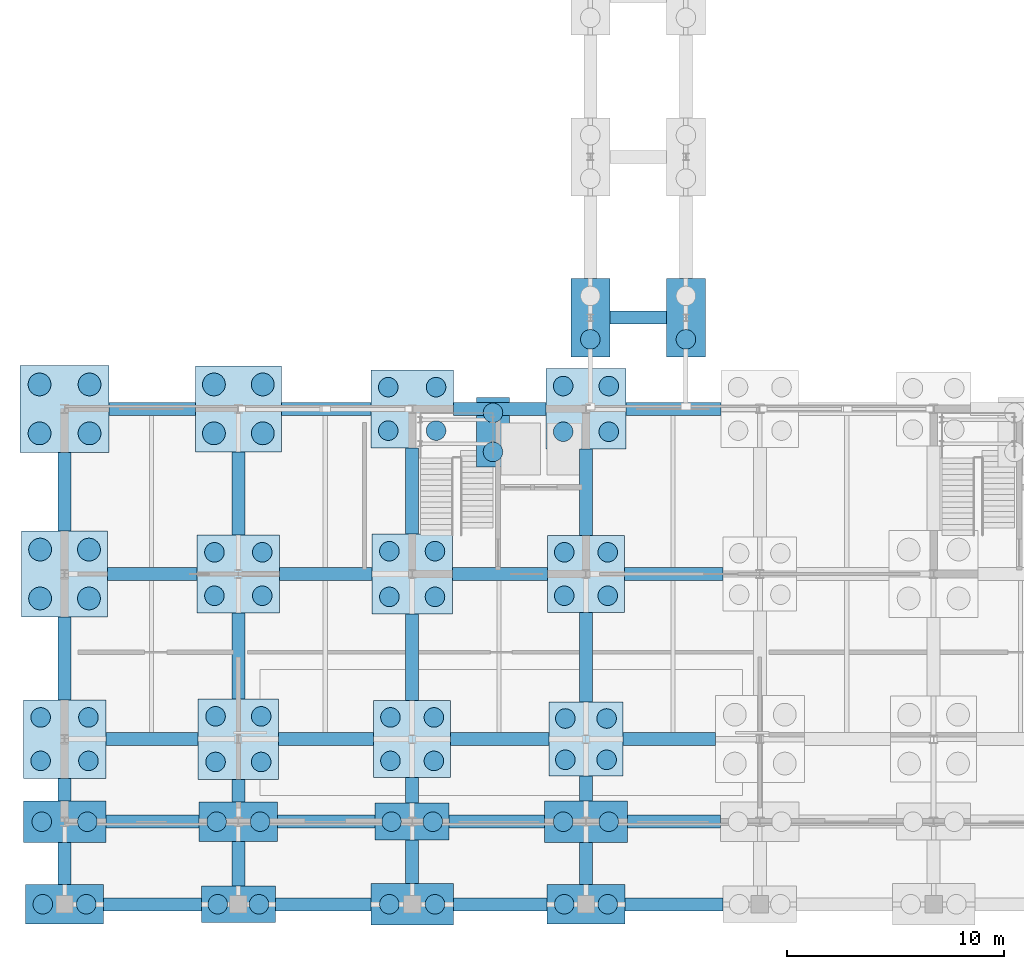
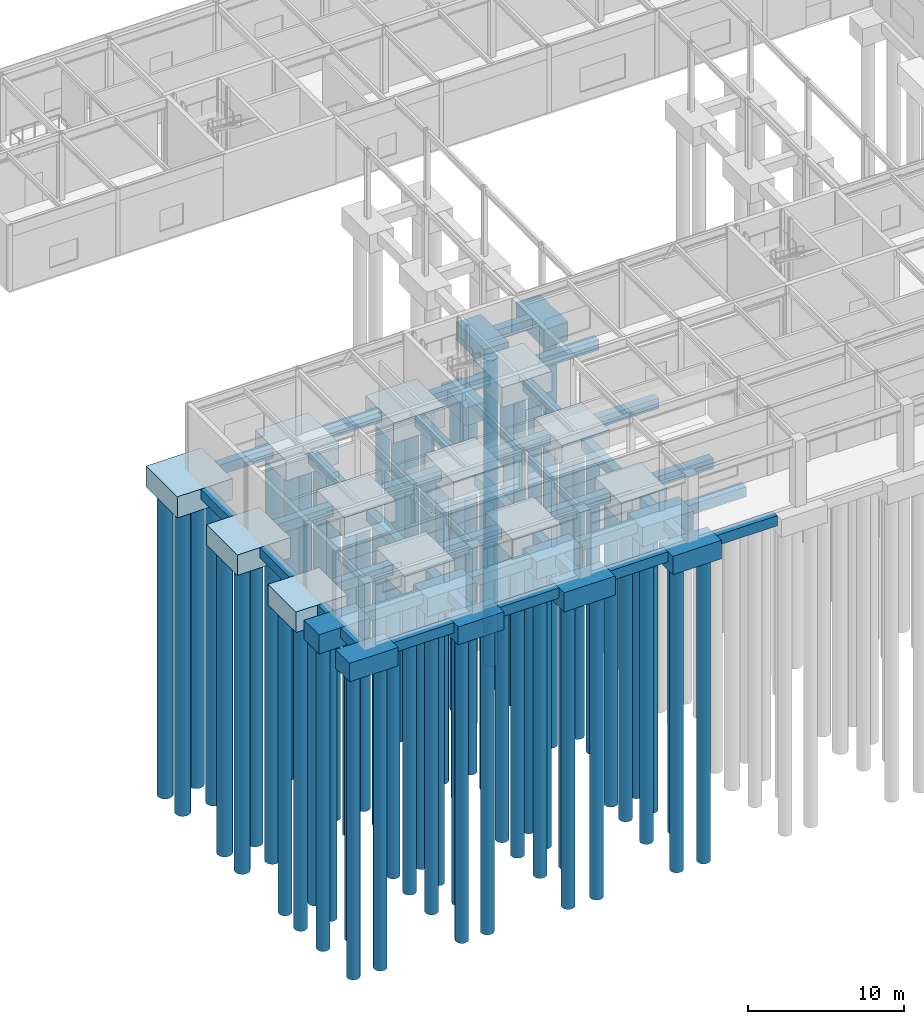
# One storey, part 1 of 62: 68 piles, 60 footings.
"""IFC4 building model written with IfcOpenShell, lengths in metres."""

from ifc_helpers import new_model, si_unit, direction, frame, origin, origin_2d, place, context, subcontext, project, spatial, rectangle, circle, extrude, material, material_profile, profile_set, type_object, element, save


model = new_model("IFC4")

# Units and contexts
model_context = context("Model", 3, precision=1e-05, world=origin(), true_north=direction((0.0, 1.0)))
body_context = subcontext(model_context, "Body", "Model", "MODEL_VIEW")
ifc_project = project(units=[si_unit("LENGTHUNIT", "METRE"), si_unit("AREAUNIT", "SQUARE_METRE"), si_unit("VOLUMEUNIT", "CUBIC_METRE"), si_unit("PLANEANGLEUNIT", "RADIAN"), si_unit("MASSUNIT", "GRAM", prefix="KILO")], contexts=[model_context])

# Site, building, storey
site_placement = place(None, origin())
site = spatial("IfcSite", under=ifc_project, at=site_placement, CompositionType="ELEMENT")
building_placement = place(site_placement, origin())
building = spatial("IfcBuilding", under=site, at=building_placement, Name="Zulena Civic Courthouse", CompositionType="ELEMENT")
storey_placement = place(building_placement, origin())
storey = spatial("IfcBuildingStorey", under=building, at=storey_placement, Name="L00", CompositionType="ELEMENT", Elevation=0.0)

# Piles
ifc_material_1 = material(Name="Concrete C40/50", Category="concrete")
ifc_material_profile_1 = material_profile(ifc_material_1, circle(Radius=0.52490234375, at=origin_2d()), Name="PILE1050")
ifc_profile_set_1 = profile_set([ifc_material_profile_1], Name="Concrete C40/50")
pile_type_1 = type_object("IfcPileType", Name="BoredPile_1050", PredefinedType="BORED", material=ifc_profile_set_1)
for number, where, z_axis, x_axis, name in (
    (1, (2.875, 14.074951171875, -1.72998046875), (0.0, 0.0, -1.0), (1.0, 0.0, 0.0), "pile:L00:004:1"),
    (2, (5.125, 14.074951171875, -1.72998046875), (0.0, 0.0, -1.0), (1.0, 0.0, 0.0), "pile:L00:004:2"),
    (3, (2.875, 16.324951171875, -1.72998046875), (0.0, 0.0, -1.0), (1.0, 0.0, 0.0), "pile:L00:004:3"),
    (4, (5.125, 16.324951171875, -1.72998046875), (0.0, 0.0, -1.0), (1.0, 0.0, 0.0), "pile:L00:004:4"),
    (5, (2.85009765625, 21.675048828125, -1.780029296875), (0.0, 0.0, -1.0), (1.0, 0.0, 0.0), "pile:L00:005:1"),
    (6, (5.14990234375, 21.675048828125, -1.780029296875), (0.0, 0.0, -1.0), (1.0, 0.0, 0.0), "pile:L00:005:2"),
    (7, (2.85009765625, 23.925048828125, -1.780029296875), (0.0, 0.0, -1.0), (1.0, 0.0, 0.0), "pile:L00:005:3"),
    (8, (5.14990234375, 23.925048828125, -1.780029296875), (0.0, 0.0, -1.0), (1.0, 0.0, 0.0), "pile:L00:005:4"),
    (9, (10.875, 21.675048828125, -1.72998046875), (0.0, 0.0, -1.0), (1.0, 0.0, 0.0), "pile:L00:010:1"),
    (10, (13.125, 21.675048828125, -1.72998046875), (0.0, 0.0, -1.0), (1.0, 0.0, 0.0), "pile:L00:010:2"),
    (11, (10.875, 23.925048828125, -1.72998046875), (0.0, 0.0, -1.0), (1.0, 0.0, 0.0), "pile:L00:010:3"),
    (12, (13.125, 23.925048828125, -1.72998046875), (0.0, 0.0, -1.0), (1.0, 0.0, 0.0), "pile:L00:010:4"),
):
    element("IfcPile", number, at=place(storey_placement, frame(where, z_axis=z_axis, x_axis=x_axis)), inside=storey, type_object=pile_type_1, Name=name, PredefinedType="BORED", context=body_context, shape_type="SweptSolid", body=[
        extrude(circle(Radius=0.52490234375, at=origin_2d()), origin(), (0.0, 0.0, 1.0), 24.0),
    ])
ifc_material_profile_2 = material_profile(ifc_material_1, circle(Radius=0.449951171875, at=origin_2d()), Name="PILE900")
ifc_profile_set_2 = profile_set([ifc_material_profile_2], Name="Concrete C40/50")
pile_type_2 = type_object("IfcPileType", Name="BoredPile_900", PredefinedType="BORED", material=ifc_profile_set_2)
for number, where, z_axis, x_axis, name in (
    (13, (3.0, 0.0, -1.580078125), (0.0, 0.0, -1.0), (1.0, 0.0, 0.0), "pile:L00:001:1"),
    (14, (5.0, 0.0, -1.580078125), (0.0, 0.0, -1.0), (1.0, 0.0, 0.0), "pile:L00:001:2"),
    (15, (2.949951171875, 3.800048828125, -1.6298828125), (0.0, 0.0, -1.0), (1.0, 0.0, 0.0), "pile:L00:002:1"),
    (16, (5.050048828125, 3.800048828125, -1.6298828125), (0.0, 0.0, -1.0), (1.0, 0.0, 0.0), "pile:L00:002:2"),
    (17, (2.89990234375, 6.60009765625, -1.72998046875), (0.0, 0.0, -1.0), (1.0, 0.0, 0.0), "pile:L00:003:1"),
    (18, (5.10009765625, 6.60009765625, -1.72998046875), (0.0, 0.0, -1.0), (1.0, 0.0, 0.0), "pile:L00:003:2"),
    (19, (2.89990234375, 8.60009765625, -1.72998046875), (0.0, 0.0, -1.0), (1.0, 0.0, 0.0), "pile:L00:003:3"),
    (20, (5.10009765625, 8.60009765625, -1.72998046875), (0.0, 0.0, -1.0), (1.0, 0.0, 0.0), "pile:L00:003:4"),
    (21, (11.050048828125, 0.0, -1.530029296875), (0.0, 0.0, -1.0), (1.0, 0.0, 0.0), "pile:L00:006:1"),
    (22, (12.949951171875, 0.0, -1.530029296875), (0.0, 0.0, -1.0), (1.0, 0.0, 0.0), "pile:L00:006:2"),
    (23, (11.0, 3.800048828125, -1.580078125), (0.0, 0.0, -1.0), (1.0, 0.0, 0.0), "pile:L00:007:1"),
    (24, (13.0, 3.800048828125, -1.580078125), (0.0, 0.0, -1.0), (1.0, 0.0, 0.0), "pile:L00:007:2"),
    (25, (10.949951171875, 6.550048828125, -1.679931640625), (0.0, 0.0, -1.0), (1.0, 0.0, 0.0), "pile:L00:008:1"),
    (26, (13.050048828125, 6.550048828125, -1.679931640625), (0.0, 0.0, -1.0), (1.0, 0.0, 0.0), "pile:L00:008:2"),
    (27, (10.949951171875, 8.64990234375, -1.679931640625), (0.0, 0.0, -1.0), (1.0, 0.0, 0.0), "pile:L00:008:3"),
    (28, (13.050048828125, 8.64990234375, -1.679931640625), (0.0, 0.0, -1.0), (1.0, 0.0, 0.0), "pile:L00:008:4"),
    (29, (10.89990234375, 14.199951171875, -1.72998046875), (0.0, 0.0, -1.0), (1.0, 0.0, 0.0), "pile:L00:009:1"),
    (30, (13.10009765625, 14.199951171875, -1.72998046875), (0.0, 0.0, -1.0), (1.0, 0.0, 0.0), "pile:L00:009:2"),
    (31, (10.89990234375, 16.199951171875, -1.72998046875), (0.0, 0.0, -1.0), (1.0, 0.0, 0.0), "pile:L00:009:3"),
    (32, (13.10009765625, 16.199951171875, -1.72998046875), (0.0, 0.0, -1.0), (1.0, 0.0, 0.0), "pile:L00:009:4"),
    (33, (18.949951171875, 0.0, -1.6298828125), (0.0, 0.0, -1.0), (1.0, 0.0, 0.0), "pile:L00:011:1"),
    (34, (21.050048828125, 0.0, -1.6298828125), (0.0, 0.0, -1.0), (1.0, 0.0, 0.0), "pile:L00:011:2"),
    (35, (19.050048828125, 3.800048828125, -1.530029296875), (0.0, 0.0, -1.0), (1.0, 0.0, 0.0), "pile:L00:012:1"),
    (36, (20.949951171875, 3.800048828125, -1.530029296875), (0.0, 0.0, -1.0), (1.0, 0.0, 0.0), "pile:L00:012:2"),
    (37, (19.0, 6.60009765625, -1.6298828125), (0.0, 0.0, -1.0), (1.0, 0.0, 0.0), "pile:L00:013:1"),
    (38, (21.0, 6.60009765625, -1.6298828125), (0.0, 0.0, -1.0), (1.0, 0.0, 0.0), "pile:L00:013:2"),
    (39, (19.0, 8.60009765625, -1.6298828125), (0.0, 0.0, -1.0), (1.0, 0.0, 0.0), "pile:L00:013:3"),
    (40, (21.0, 8.60009765625, -1.6298828125), (0.0, 0.0, -1.0), (1.0, 0.0, 0.0), "pile:L00:013:4"),
    (41, (18.949951171875, 14.14990234375, -1.679931640625), (0.0, 0.0, -1.0), (1.0, 0.0, 0.0), "pile:L00:014:1"),
    (42, (21.050048828125, 14.14990234375, -1.679931640625), (0.0, 0.0, -1.0), (1.0, 0.0, 0.0), "pile:L00:014:2"),
    (43, (18.949951171875, 16.25, -1.679931640625), (0.0, 0.0, -1.0), (1.0, 0.0, 0.0), "pile:L00:014:3"),
    (44, (21.050048828125, 16.25, -1.679931640625), (0.0, 0.0, -1.0), (1.0, 0.0, 0.0), "pile:L00:014:4"),
    (45, (18.89990234375, 21.800048828125, -1.72998046875), (0.0, 0.0, -1.0), (1.0, 0.0, 0.0), "pile:L00:015:1"),
    (46, (21.10009765625, 21.800048828125, -1.72998046875), (0.0, 0.0, -1.0), (1.0, 0.0, 0.0), "pile:L00:015:2"),
    (47, (18.89990234375, 23.800048828125, -1.72998046875), (0.0, 0.0, -1.0), (1.0, 0.0, 0.0), "pile:L00:015:3"),
    (48, (21.10009765625, 23.800048828125, -1.72998046875), (0.0, 0.0, -1.0), (1.0, 0.0, 0.0), "pile:L00:015:4"),
    (49, (27.0, 0.0, -1.580078125), (0.0, 0.0, -1.0), (1.0, 0.0, 0.0), "pile:L00:016:1"),
    (50, (29.0, 0.0, -1.580078125), (0.0, 0.0, -1.0), (1.0, 0.0, 0.0), "pile:L00:016:2"),
    (51, (26.949951171875, 3.800048828125, -1.6298828125), (0.0, 0.0, -1.0), (1.0, 0.0, 0.0), "pile:L00:017:1"),
    (52, (29.050048828125, 3.800048828125, -1.6298828125), (0.0, 0.0, -1.0), (1.0, 0.0, 0.0), "pile:L00:017:2"),
    (53, (27.050048828125, 6.64990234375, -1.6298828125), (0.0, 0.0, -1.0), (1.0, 0.0, 0.0), "pile:L00:018:1"),
    (54, (28.949951171875, 6.64990234375, -1.6298828125), (0.0, 0.0, -1.0), (1.0, 0.0, 0.0), "pile:L00:018:2"),
    (55, (27.050048828125, 8.550048828125, -1.6298828125), (0.0, 0.0, -1.0), (1.0, 0.0, 0.0), "pile:L00:018:3"),
    (56, (28.949951171875, 8.550048828125, -1.6298828125), (0.0, 0.0, -1.0), (1.0, 0.0, 0.0), "pile:L00:018:4"),
    (57, (27.0, 14.199951171875, -1.6298828125), (0.0, 0.0, -1.0), (1.0, 0.0, 0.0), "pile:L00:019:1"),
    (58, (29.0, 14.199951171875, -1.6298828125), (0.0, 0.0, -1.0), (1.0, 0.0, 0.0), "pile:L00:019:2"),
    (59, (27.0, 16.199951171875, -1.6298828125), (0.0, 0.0, -1.0), (1.0, 0.0, 0.0), "pile:L00:019:3"),
    (60, (29.0, 16.199951171875, -1.6298828125), (0.0, 0.0, -1.0), (1.0, 0.0, 0.0), "pile:L00:019:4"),
    (61, (26.949951171875, 21.75, -1.679931640625), (0.0, 0.0, -1.0), (1.0, 0.0, 0.0), "pile:L00:020:1"),
    (62, (29.050048828125, 21.75, -1.679931640625), (0.0, 0.0, -1.0), (1.0, 0.0, 0.0), "pile:L00:020:2"),
    (63, (26.949951171875, 23.85009765625, -1.679931640625), (0.0, 0.0, -1.0), (1.0, 0.0, 0.0), "pile:L00:020:3"),
    (64, (29.050048828125, 23.85009765625, -1.679931640625), (0.0, 0.0, -1.0), (1.0, 0.0, 0.0), "pile:L00:020:4"),
    (65, (28.199951171875, 26.0, -1.580078125), (0.0, 0.0, -1.0), (1.0, 0.0, 0.0), "pile:L00:021:1"),
    (66, (32.60009765625, 26.0, -1.580078125), (0.0, 0.0, -1.0), (1.0, 0.0, 0.0), "pile:L00:024:1"),
    (67, (23.719970703125, 20.820068359375, -1.530029296875), (0.0, 0.0, -1.0), (1.0, 0.0, 0.0), "pile:stair:L00:01:1"),
    (68, (23.719970703125, 22.6201171875, -1.530029296875), (0.0, 0.0, -1.0), (1.0, 0.0, 0.0), "pile:stair:L00:01:2"),
):
    element("IfcPile", number, at=place(storey_placement, frame(where, z_axis=z_axis, x_axis=x_axis)), inside=storey, type_object=pile_type_2, Name=name, PredefinedType="BORED", context=body_context, shape_type="SweptSolid", body=[
        extrude(circle(Radius=0.449951171875, at=origin_2d()), origin(), (0.0, 0.0, 1.0), 24.0),
    ])

# Footings
ifc_material_2 = material(Name="Concrete C35/45", Category="concrete")
ifc_material_profile_3 = material_profile(ifc_material_2, rectangle(XDim=0.60009765625, YDim=0.800048828125, at=origin_2d()), Name="RC600X800")
ifc_profile_set_3 = profile_set([ifc_material_profile_3], Name="Concrete C35/45")
footing_type_1 = type_object("IfcFootingType", Name="GroundBeam_600x800", PredefinedType="FOOTING_BEAM", material=ifc_profile_set_3)
footing_1_placement = place(storey_placement, frame((5.800048828125, 0.0, -0.6298828125), z_axis=(1.0, 0.0, 0.0), x_axis=(0.0, 1.0, 0.0)))
element("IfcFooting", 69, at=footing_1_placement, inside=storey, type_object=footing_type_1, Name="gbeam:X:L00:001", PredefinedType="FOOTING_BEAM", context=body_context, shape_type="SweptSolid", body=[
    extrude(rectangle(XDim=0.60009765625, YDim=0.800048828125, at=origin_2d()), origin(), (0.0, 0.0, 1.0), 4.5),
])
footing_2_placement = place(storey_placement, frame((13.699951171875, 0.0, -0.6298828125), z_axis=(1.0, 0.0, 0.0), x_axis=(0.0, 1.0, 0.0)))
element("IfcFooting", 70, at=footing_2_placement, inside=storey, type_object=footing_type_1, Name="gbeam:X:L00:002", PredefinedType="FOOTING_BEAM", context=body_context, shape_type="SweptSolid", body=[
    extrude(rectangle(XDim=0.60009765625, YDim=0.800048828125, at=origin_2d()), origin(), (0.0, 0.0, 1.0), 4.400146484375),
])
footing_3_placement = place(storey_placement, frame((21.89990234375, 0.0, -0.6298828125), z_axis=(1.0, 0.0, 0.0), x_axis=(0.0, 1.0, 0.0)))
element("IfcFooting", 71, at=footing_3_placement, inside=storey, type_object=footing_type_1, Name="gbeam:X:L00:003", PredefinedType="FOOTING_BEAM", context=body_context, shape_type="SweptSolid", body=[
    extrude(rectangle(XDim=0.60009765625, YDim=0.800048828125, at=origin_2d()), origin(), (0.0, 0.0, 1.0), 4.300048828125),
])
footing_4_placement = place(storey_placement, frame((29.800048828125, 0.0, -0.6298828125), z_axis=(1.0, 0.0, 0.0), x_axis=(0.0, 1.0, 0.0)))
element("IfcFooting", 72, at=footing_4_placement, inside=storey, type_object=footing_type_1, Name="gbeam:X:L00:004", PredefinedType="FOOTING_BEAM", context=body_context, shape_type="SweptSolid", body=[
    extrude(rectangle(XDim=0.60009765625, YDim=0.800048828125, at=origin_2d()), origin(), (0.0, 0.0, 1.0), 4.5),
])
footing_5_placement = place(storey_placement, frame((5.89990234375, 3.800048828125, -0.6298828125), z_axis=(1.0, 0.0, 0.0), x_axis=(0.0, 1.0, 0.0)))
element("IfcFooting", 73, at=footing_5_placement, inside=storey, type_object=footing_type_1, Name="gbeam:X:L00:013", PredefinedType="FOOTING_BEAM", context=body_context, shape_type="SweptSolid", body=[
    extrude(rectangle(XDim=0.60009765625, YDim=0.800048828125, at=origin_2d()), origin(), (0.0, 0.0, 1.0), 4.300048828125),
])
footing_6_placement = place(storey_placement, frame((13.800048828125, 3.800048828125, -0.6298828125), z_axis=(1.0, 0.0, 0.0), x_axis=(0.0, 1.0, 0.0)))
element("IfcFooting", 74, at=footing_6_placement, inside=storey, type_object=footing_type_1, Name="gbeam:X:L00:014", PredefinedType="FOOTING_BEAM", context=body_context, shape_type="SweptSolid", body=[
    extrude(rectangle(XDim=0.60009765625, YDim=0.800048828125, at=origin_2d()), origin(), (0.0, 0.0, 1.0), 4.5),
])
footing_7_placement = place(storey_placement, frame((21.699951171875, 3.800048828125, -0.6298828125), z_axis=(1.0, 0.0, 0.0), x_axis=(0.0, 1.0, 0.0)))
element("IfcFooting", 75, at=footing_7_placement, inside=storey, type_object=footing_type_1, Name="gbeam:X:L00:015", PredefinedType="FOOTING_BEAM", context=body_context, shape_type="SweptSolid", body=[
    extrude(rectangle(XDim=0.60009765625, YDim=0.800048828125, at=origin_2d()), origin(), (0.0, 0.0, 1.0), 4.400146484375),
])
footing_8_placement = place(storey_placement, frame((29.89990234375, 3.800048828125, -0.6298828125), z_axis=(1.0, 0.0, 0.0), x_axis=(0.0, 1.0, 0.0)))
element("IfcFooting", 76, at=footing_8_placement, inside=storey, type_object=footing_type_1, Name="gbeam:X:L00:016", PredefinedType="FOOTING_BEAM", context=body_context, shape_type="SweptSolid", body=[
    extrude(rectangle(XDim=0.60009765625, YDim=0.800048828125, at=origin_2d()), origin(), (0.0, 0.0, 1.0), 4.300048828125),
])
footing_9_placement = place(storey_placement, frame((5.89990234375, 7.60009765625, -0.6298828125), z_axis=(1.0, 0.0, 0.0), x_axis=(0.0, 1.0, 0.0)))
element("IfcFooting", 77, at=footing_9_placement, inside=storey, type_object=footing_type_1, Name="gbeam:X:L00:025", PredefinedType="FOOTING_BEAM", context=body_context, shape_type="SweptSolid", body=[
    extrude(rectangle(XDim=0.60009765625, YDim=0.800048828125, at=origin_2d()), origin(), (0.0, 0.0, 1.0), 4.25),
])
footing_10_placement = place(storey_placement, frame((13.85009765625, 7.60009765625, -0.6298828125), z_axis=(1.0, 0.0, 0.0), x_axis=(0.0, 1.0, 0.0)))
element("IfcFooting", 78, at=footing_10_placement, inside=storey, type_object=footing_type_1, Name="gbeam:X:L00:026", PredefinedType="FOOTING_BEAM", context=body_context, shape_type="SweptSolid", body=[
    extrude(rectangle(XDim=0.60009765625, YDim=0.800048828125, at=origin_2d()), origin(), (0.0, 0.0, 1.0), 4.375),
])
footing_11_placement = place(storey_placement, frame((21.77490234375, 7.60009765625, -0.6298828125), z_axis=(1.0, 0.0, 0.0), x_axis=(0.0, 1.0, 0.0)))
element("IfcFooting", 79, at=footing_11_placement, inside=storey, type_object=footing_type_1, Name="gbeam:X:L00:027", PredefinedType="FOOTING_BEAM", context=body_context, shape_type="SweptSolid", body=[
    extrude(rectangle(XDim=0.60009765625, YDim=0.800048828125, at=origin_2d()), origin(), (0.0, 0.0, 1.0), 4.525146484375),
])
footing_12_placement = place(storey_placement, frame((29.699951171875, 7.60009765625, -0.6298828125), z_axis=(1.0, 0.0, 0.0), x_axis=(0.0, 1.0, 0.0)))
element("IfcFooting", 80, at=footing_12_placement, inside=storey, type_object=footing_type_1, Name="gbeam:X:L00:028", PredefinedType="FOOTING_BEAM", context=body_context, shape_type="SweptSolid", body=[
    extrude(rectangle(XDim=0.60009765625, YDim=0.800048828125, at=origin_2d()), origin(), (0.0, 0.0, 1.0), 4.25),
])
footing_13_placement = place(storey_placement, frame((5.97509765625, 15.199951171875, -0.6298828125), z_axis=(1.0, 0.0, 0.0), x_axis=(0.0, 1.0, 0.0)))
element("IfcFooting", 81, at=footing_13_placement, inside=storey, type_object=footing_type_1, Name="gbeam:X:L00:043", PredefinedType="FOOTING_BEAM", context=body_context, shape_type="SweptSolid", body=[
    extrude(rectangle(XDim=0.60009765625, YDim=0.800048828125, at=origin_2d()), origin(), (0.0, 0.0, 1.0), 4.125),
])
footing_14_placement = place(storey_placement, frame((13.89990234375, 15.199951171875, -0.6298828125), z_axis=(1.0, 0.0, 0.0), x_axis=(0.0, 1.0, 0.0)))
element("IfcFooting", 82, at=footing_14_placement, inside=storey, type_object=footing_type_1, Name="gbeam:X:L00:044", PredefinedType="FOOTING_BEAM", context=body_context, shape_type="SweptSolid", body=[
    extrude(rectangle(XDim=0.60009765625, YDim=0.800048828125, at=origin_2d()), origin(), (0.0, 0.0, 1.0), 4.25),
])
footing_15_placement = place(storey_placement, frame((21.85009765625, 15.199951171875, -0.6298828125), z_axis=(1.0, 0.0, 0.0), x_axis=(0.0, 1.0, 0.0)))
element("IfcFooting", 83, at=footing_15_placement, inside=storey, type_object=footing_type_1, Name="gbeam:X:L00:045", PredefinedType="FOOTING_BEAM", context=body_context, shape_type="SweptSolid", body=[
    extrude(rectangle(XDim=0.60009765625, YDim=0.800048828125, at=origin_2d()), origin(), (0.0, 0.0, 1.0), 4.375),
])
footing_16_placement = place(storey_placement, frame((29.77490234375, 15.199951171875, -0.6298828125), z_axis=(1.0, 0.0, 0.0), x_axis=(0.0, 1.0, 0.0)))
element("IfcFooting", 84, at=footing_16_placement, inside=storey, type_object=footing_type_1, Name="gbeam:X:L00:046", PredefinedType="FOOTING_BEAM", context=body_context, shape_type="SweptSolid", body=[
    extrude(rectangle(XDim=0.60009765625, YDim=0.800048828125, at=origin_2d()), origin(), (0.0, 0.0, 1.0), 4.525146484375),
])
footing_17_placement = place(storey_placement, frame((6.050048828125, 22.800048828125, -0.6298828125), z_axis=(1.0, 0.0, 0.0), x_axis=(0.0, 1.0, 0.0)))
element("IfcFooting", 85, at=footing_17_placement, inside=storey, type_object=footing_type_1, Name="gbeam:X:L00:064", PredefinedType="FOOTING_BEAM", context=body_context, shape_type="SweptSolid", body=[
    extrude(rectangle(XDim=0.60009765625, YDim=0.800048828125, at=origin_2d()), origin(), (0.0, 0.0, 1.0), 3.974853515625),
])
footing_18_placement = place(storey_placement, frame((13.97509765625, 22.800048828125, -0.6298828125), z_axis=(1.0, 0.0, 0.0), x_axis=(0.0, 1.0, 0.0)))
element("IfcFooting", 86, at=footing_18_placement, inside=storey, type_object=footing_type_1, Name="gbeam:X:L00:065", PredefinedType="FOOTING_BEAM", context=body_context, shape_type="SweptSolid", body=[
    extrude(rectangle(XDim=0.60009765625, YDim=0.800048828125, at=origin_2d()), origin(), (0.0, 0.0, 1.0), 4.125),
])
footing_19_placement = place(storey_placement, frame((21.89990234375, 22.800048828125, -0.6298828125), z_axis=(1.0, 0.0, 0.0), x_axis=(0.0, 1.0, 0.0)))
element("IfcFooting", 87, at=footing_19_placement, inside=storey, type_object=footing_type_1, Name="gbeam:X:L00:066", PredefinedType="FOOTING_BEAM", context=body_context, shape_type="SweptSolid", body=[
    extrude(rectangle(XDim=0.60009765625, YDim=0.800048828125, at=origin_2d()), origin(), (0.0, 0.0, 1.0), 4.25),
])
footing_20_placement = place(storey_placement, frame((29.85009765625, 22.800048828125, -0.6298828125), z_axis=(1.0, 0.0, 0.0), x_axis=(0.0, 1.0, 0.0)))
element("IfcFooting", 88, at=footing_20_placement, inside=storey, type_object=footing_type_1, Name="gbeam:X:L00:067", PredefinedType="FOOTING_BEAM", context=body_context, shape_type="SweptSolid", body=[
    extrude(rectangle(XDim=0.60009765625, YDim=0.800048828125, at=origin_2d()), origin(), (0.0, 0.0, 1.0), 4.375),
])
footing_21_placement = place(storey_placement, frame((29.10009765625, 27.0, -0.6298828125), z_axis=(1.0, 0.0, 0.0), x_axis=(0.0, 1.0, 0.0)))
element("IfcFooting", 89, at=footing_21_placement, inside=storey, type_object=footing_type_1, Name="gbeam:X:L00:085", PredefinedType="FOOTING_BEAM", context=body_context, shape_type="SweptSolid", body=[
    extrude(rectangle(XDim=0.60009765625, YDim=0.800048828125, at=origin_2d()), origin(), (0.0, 0.0, 1.0), 2.599853515625),
])
footing_22_placement = place(storey_placement, frame((4.0, 0.89990234375, -0.6298828125), z_axis=(0.0, 1.0, 0.0), x_axis=(-1.0, 0.0, 0.0)))
element("IfcFooting", 90, at=footing_22_placement, inside=storey, type_object=footing_type_1, Name="gbeam:Y:L00:131", PredefinedType="FOOTING_BEAM", context=body_context, shape_type="SweptSolid", body=[
    extrude(rectangle(XDim=0.60009765625, YDim=0.800048828125, at=origin_2d()), origin(), (0.0, 0.0, 1.0), 1.9501953125),
])
footing_23_placement = place(storey_placement, frame((4.0, 4.75, -0.6298828125), z_axis=(0.0, 1.0, 0.0), x_axis=(-1.0, 0.0, 0.0)))
element("IfcFooting", 91, at=footing_23_placement, inside=storey, type_object=footing_type_1, Name="gbeam:Y:L00:132", PredefinedType="FOOTING_BEAM", context=body_context, shape_type="SweptSolid", body=[
    extrude(rectangle(XDim=0.60009765625, YDim=0.800048828125, at=origin_2d()), origin(), (0.0, 0.0, 1.0), 1.050048828125),
])
footing_24_placement = place(storey_placement, frame((4.0, 9.39990234375, -0.6298828125), z_axis=(0.0, 1.0, 0.0), x_axis=(-1.0, 0.0, 0.0)))
element("IfcFooting", 92, at=footing_24_placement, inside=storey, type_object=footing_type_1, Name="gbeam:Y:L00:133", PredefinedType="FOOTING_BEAM", context=body_context, shape_type="SweptSolid", body=[
    extrude(rectangle(XDim=0.60009765625, YDim=0.800048828125, at=origin_2d()), origin(), (0.0, 0.0, 1.0), 3.8251953125),
])
footing_25_placement = place(storey_placement, frame((4.0, 17.175048828125, -0.6298828125), z_axis=(0.0, 1.0, 0.0), x_axis=(-1.0, 0.0, 0.0)))
element("IfcFooting", 93, at=footing_25_placement, inside=storey, type_object=footing_type_1, Name="gbeam:Y:L00:134", PredefinedType="FOOTING_BEAM", context=body_context, shape_type="SweptSolid", body=[
    extrude(rectangle(XDim=0.60009765625, YDim=0.800048828125, at=origin_2d()), origin(), (0.0, 0.0, 1.0), 3.625),
])
footing_26_placement = place(storey_placement, frame((12.0, 0.85009765625, -0.6298828125), z_axis=(0.0, 1.0, 0.0), x_axis=(-1.0, 0.0, 0.0)))
element("IfcFooting", 94, at=footing_26_placement, inside=storey, type_object=footing_type_1, Name="gbeam:Y:L00:135", PredefinedType="FOOTING_BEAM", context=body_context, shape_type="SweptSolid", body=[
    extrude(rectangle(XDim=0.60009765625, YDim=0.800048828125, at=origin_2d()), origin(), (0.0, 0.0, 1.0), 2.0498046875),
])
footing_27_placement = place(storey_placement, frame((12.0, 4.699951171875, -0.6298828125), z_axis=(0.0, 1.0, 0.0), x_axis=(-1.0, 0.0, 0.0)))
element("IfcFooting", 95, at=footing_27_placement, inside=storey, type_object=footing_type_1, Name="gbeam:Y:L00:136", PredefinedType="FOOTING_BEAM", context=body_context, shape_type="SweptSolid", body=[
    extrude(rectangle(XDim=0.60009765625, YDim=0.800048828125, at=origin_2d()), origin(), (0.0, 0.0, 1.0), 1.050048828125),
])
footing_28_placement = place(storey_placement, frame((12.0, 9.449951171875, -0.6298828125), z_axis=(0.0, 1.0, 0.0), x_axis=(-1.0, 0.0, 0.0)))
element("IfcFooting", 96, at=footing_28_placement, inside=storey, type_object=footing_type_1, Name="gbeam:Y:L00:137", PredefinedType="FOOTING_BEAM", context=body_context, shape_type="SweptSolid", body=[
    extrude(rectangle(XDim=0.60009765625, YDim=0.800048828125, at=origin_2d()), origin(), (0.0, 0.0, 1.0), 3.949951171875),
])
footing_29_placement = place(storey_placement, frame((12.0, 17.0, -0.6298828125), z_axis=(0.0, 1.0, 0.0), x_axis=(-1.0, 0.0, 0.0)))
element("IfcFooting", 97, at=footing_29_placement, inside=storey, type_object=footing_type_1, Name="gbeam:Y:L00:138", PredefinedType="FOOTING_BEAM", context=body_context, shape_type="SweptSolid", body=[
    extrude(rectangle(XDim=0.60009765625, YDim=0.800048828125, at=origin_2d()), origin(), (0.0, 0.0, 1.0), 3.824951171875),
])
footing_30_placement = place(storey_placement, frame((20.0, 0.949951171875, -0.6298828125), z_axis=(0.0, 1.0, 0.0), x_axis=(-1.0, 0.0, 0.0)))
element("IfcFooting", 98, at=footing_30_placement, inside=storey, type_object=footing_type_1, Name="gbeam:Y:L00:139", PredefinedType="FOOTING_BEAM", context=body_context, shape_type="SweptSolid", body=[
    extrude(rectangle(XDim=0.60009765625, YDim=0.800048828125, at=origin_2d()), origin(), (0.0, 0.0, 1.0), 2.0),
])
footing_31_placement = place(storey_placement, frame((20.0, 4.64990234375, -0.6298828125), z_axis=(0.0, 1.0, 0.0), x_axis=(-1.0, 0.0, 0.0)))
element("IfcFooting", 99, at=footing_31_placement, inside=storey, type_object=footing_type_1, Name="gbeam:Y:L00:140", PredefinedType="FOOTING_BEAM", context=body_context, shape_type="SweptSolid", body=[
    extrude(rectangle(XDim=0.60009765625, YDim=0.800048828125, at=origin_2d()), origin(), (0.0, 0.0, 1.0), 1.175048828125),
])
footing_32_placement = place(storey_placement, frame((20.0, 9.375, -0.6298828125), z_axis=(0.0, 1.0, 0.0), x_axis=(-1.0, 0.0, 0.0)))
element("IfcFooting", 100, at=footing_32_placement, inside=storey, type_object=footing_type_1, Name="gbeam:Y:L00:141", PredefinedType="FOOTING_BEAM", context=body_context, shape_type="SweptSolid", body=[
    extrude(rectangle(XDim=0.60009765625, YDim=0.800048828125, at=origin_2d()), origin(), (0.0, 0.0, 1.0), 3.97509765625),
])
footing_33_placement = place(storey_placement, frame((20.0, 17.050048828125, -0.6298828125), z_axis=(0.0, 1.0, 0.0), x_axis=(-1.0, 0.0, 0.0)))
element("IfcFooting", 101, at=footing_33_placement, inside=storey, type_object=footing_type_1, Name="gbeam:Y:L00:142", PredefinedType="FOOTING_BEAM", context=body_context, shape_type="SweptSolid", body=[
    extrude(rectangle(XDim=0.60009765625, YDim=0.800048828125, at=origin_2d()), origin(), (0.0, 0.0, 1.0), 3.949951171875),
])
footing_34_placement = place(storey_placement, frame((28.0, 0.89990234375, -0.6298828125), z_axis=(0.0, 1.0, 0.0), x_axis=(-1.0, 0.0, 0.0)))
element("IfcFooting", 102, at=footing_34_placement, inside=storey, type_object=footing_type_1, Name="gbeam:Y:L00:143", PredefinedType="FOOTING_BEAM", context=body_context, shape_type="SweptSolid", body=[
    extrude(rectangle(XDim=0.60009765625, YDim=0.800048828125, at=origin_2d()), origin(), (0.0, 0.0, 1.0), 1.9501953125),
])
footing_35_placement = place(storey_placement, frame((28.0, 4.75, -0.6298828125), z_axis=(0.0, 1.0, 0.0), x_axis=(-1.0, 0.0, 0.0)))
element("IfcFooting", 103, at=footing_35_placement, inside=storey, type_object=footing_type_1, Name="gbeam:Y:L00:144", PredefinedType="FOOTING_BEAM", context=body_context, shape_type="SweptSolid", body=[
    extrude(rectangle(XDim=0.60009765625, YDim=0.800048828125, at=origin_2d()), origin(), (0.0, 0.0, 1.0), 1.14990234375),
])
footing_36_placement = place(storey_placement, frame((28.0, 9.300048828125, -0.6298828125), z_axis=(0.0, 1.0, 0.0), x_axis=(-1.0, 0.0, 0.0)))
element("IfcFooting", 104, at=footing_36_placement, inside=storey, type_object=footing_type_1, Name="gbeam:Y:L00:145", PredefinedType="FOOTING_BEAM", context=body_context, shape_type="SweptSolid", body=[
    extrude(rectangle(XDim=0.60009765625, YDim=0.800048828125, at=origin_2d()), origin(), (0.0, 0.0, 1.0), 4.125),
])
footing_37_placement = place(storey_placement, frame((28.0, 16.97509765625, -0.6298828125), z_axis=(0.0, 1.0, 0.0), x_axis=(-1.0, 0.0, 0.0)))
element("IfcFooting", 105, at=footing_37_placement, inside=storey, type_object=footing_type_1, Name="gbeam:Y:L00:146", PredefinedType="FOOTING_BEAM", context=body_context, shape_type="SweptSolid", body=[
    extrude(rectangle(XDim=0.60009765625, YDim=0.800048828125, at=origin_2d()), origin(), (0.0, 0.0, 1.0), 3.974853515625),
])
footing_type_2 = type_object("IfcFootingType", Name="PileCap_2P_1500x3200", PredefinedType="PILE_CAP", material=ifc_material_1)
footing_38_placement = place(storey_placement, frame((23.719970703125, 21.719970703125, -1.6298828125), z_axis=(0.0, 0.0, 1.0), x_axis=(1.0, 0.0, 0.0)))
element("IfcFooting", 106, at=footing_38_placement, inside=storey, type_object=footing_type_2, Name="cap:stair:L00:01", PredefinedType="PILE_CAP", context=body_context, shape_type="SweptSolid", body=[
    extrude(rectangle(XDim=1.5, YDim=3.199951171875, at=origin_2d()), origin(), (0.0, 0.0, 1.0), 1.39990234375),
])
footing_type_3 = type_object("IfcFootingType", Name="PileCap_2P_3400x1700", PredefinedType="PILE_CAP", material=ifc_material_1)
for number, where, z_axis, x_axis, name in (
    (107, (12.0, 0.0, -1.6298828125), (0.0, 0.0, 1.0), (1.0, 0.0, 0.0), "cap:L00:006"),
    (108, (20.0, 3.800048828125, -1.6298828125), (0.0, 0.0, 1.0), (1.0, 0.0, 0.0), "cap:L00:012"),
):
    element("IfcFooting", number, at=place(storey_placement, frame(where, z_axis=z_axis, x_axis=x_axis)), inside=storey, type_object=footing_type_3, Name=name, PredefinedType="PILE_CAP", context=body_context, shape_type="SweptSolid", body=[
        extrude(rectangle(XDim=3.39990234375, YDim=1.699951171875, at=origin_2d()), origin(), (0.0, 0.0, 1.0), 1.39990234375),
    ])
footing_type_4 = type_object("IfcFootingType", Name="PileCap_2P_3600x1800", PredefinedType="PILE_CAP", material=ifc_material_1)
for number, where, z_axis, x_axis, name in (
    (109, (4.0, 0.0, -1.68017578125), (0.0, 0.0, 1.0), (1.0, 0.0, 0.0), "cap:L00:001"),
    (110, (12.0, 3.800048828125, -1.68017578125), (0.0, 0.0, 1.0), (1.0, 0.0, 0.0), "cap:L00:007"),
    (111, (28.0, 0.0, -1.68017578125), (0.0, 0.0, 1.0), (1.0, 0.0, 0.0), "cap:L00:016"),
):
    element("IfcFooting", number, at=place(storey_placement, frame(where, z_axis=z_axis, x_axis=x_axis)), inside=storey, type_object=footing_type_4, Name=name, PredefinedType="PILE_CAP", context=body_context, shape_type="SweptSolid", body=[
        extrude(rectangle(XDim=3.60009765625, YDim=1.800048828125, at=origin_2d()), origin(), (0.0, 0.0, 1.0), 1.449951171875),
    ])
for number, where, z_axis, x_axis, name in (
    (112, (28.199951171875, 27.0, -1.68017578125), (0.0, 0.0, 1.0), (1.0, 0.0, 0.0), "cap:L00:021"),
    (113, (32.60009765625, 27.0, -1.68017578125), (0.0, 0.0, 1.0), (1.0, 0.0, 0.0), "cap:L00:024"),
):
    element("IfcFooting", number, at=place(storey_placement, frame(where, z_axis=z_axis, x_axis=x_axis)), inside=storey, type_object=footing_type_4, Name=name, PredefinedType="PILE_CAP", context=body_context, shape_type="SweptSolid", body=[
        extrude(rectangle(XDim=1.800048828125, YDim=3.60009765625, at=origin_2d()), origin(), (0.0, 0.0, 1.0), 1.449951171875),
    ])
footing_type_5 = type_object("IfcFootingType", Name="PileCap_2P_3800x1900", PredefinedType="PILE_CAP", material=ifc_material_1)
for number, where, z_axis, x_axis, name in (
    (114, (4.0, 3.800048828125, -1.72998046875), (0.0, 0.0, 1.0), (1.0, 0.0, 0.0), "cap:L00:002"),
    (115, (20.0, 0.0, -1.72998046875), (0.0, 0.0, 1.0), (1.0, 0.0, 0.0), "cap:L00:011"),
    (116, (28.0, 3.800048828125, -1.72998046875), (0.0, 0.0, 1.0), (1.0, 0.0, 0.0), "cap:L00:017"),
):
    element("IfcFooting", number, at=place(storey_placement, frame(where, z_axis=z_axis, x_axis=x_axis)), inside=storey, type_object=footing_type_5, Name=name, PredefinedType="PILE_CAP", context=body_context, shape_type="SweptSolid", body=[
        extrude(rectangle(XDim=3.800048828125, YDim=1.89990234375, at=origin_2d()), origin(), (0.0, 0.0, 1.0), 1.5),
    ])
footing_type_6 = type_object("IfcFootingType", Name="PileCap_4P_3400x3400", PredefinedType="PILE_CAP", material=ifc_material_1)
footing_39_placement = place(storey_placement, frame((28.0, 7.60009765625, -1.72998046875), z_axis=(0.0, 0.0, 1.0), x_axis=(1.0, 0.0, 0.0)))
element("IfcFooting", 117, at=footing_39_placement, inside=storey, type_object=footing_type_6, Name="cap:L00:018", PredefinedType="PILE_CAP", context=body_context, shape_type="SweptSolid", body=[
    extrude(rectangle(XDim=3.39990234375, YDim=3.39990234375, at=origin_2d()), origin(), (0.0, 0.0, 1.0), 1.5),
])
footing_type_7 = type_object("IfcFootingType", Name="PileCap_4P_3550x3550", PredefinedType="PILE_CAP", material=ifc_material_1)
for number, where, z_axis, x_axis, name in (
    (118, (20.0, 7.60009765625, -1.72998046875), (0.0, 0.0, 1.0), (1.0, 0.0, 0.0), "cap:L00:013"),
    (119, (28.0, 15.199951171875, -1.72998046875), (0.0, 0.0, 1.0), (1.0, 0.0, 0.0), "cap:L00:019"),
):
    element("IfcFooting", number, at=place(storey_placement, frame(where, z_axis=z_axis, x_axis=x_axis)), inside=storey, type_object=footing_type_7, Name=name, PredefinedType="PILE_CAP", context=body_context, shape_type="SweptSolid", body=[
        extrude(rectangle(XDim=3.550048828125, YDim=3.550048828125, at=origin_2d()), origin(), (0.0, 0.0, 1.0), 1.5),
    ])
footing_type_8 = type_object("IfcFootingType", Name="PileCap_4P_3700x3700", PredefinedType="PILE_CAP", material=ifc_material_1)
for number, where, z_axis, x_axis, name in (
    (120, (12.0, 7.60009765625, -1.77978515625), (0.0, 0.0, 1.0), (1.0, 0.0, 0.0), "cap:L00:008"),
    (121, (20.0, 15.199951171875, -1.77978515625), (0.0, 0.0, 1.0), (1.0, 0.0, 0.0), "cap:L00:014"),
    (122, (28.0, 22.800048828125, -1.77978515625), (0.0, 0.0, 1.0), (1.0, 0.0, 0.0), "cap:L00:020"),
):
    element("IfcFooting", number, at=place(storey_placement, frame(where, z_axis=z_axis, x_axis=x_axis)), inside=storey, type_object=footing_type_8, Name=name, PredefinedType="PILE_CAP", context=body_context, shape_type="SweptSolid", body=[
        extrude(rectangle(XDim=3.699951171875, YDim=3.699951171875, at=origin_2d()), origin(), (0.0, 0.0, 1.0), 1.550048828125),
    ])
footing_type_9 = type_object("IfcFootingType", Name="PileCap_4P_3800x3600", PredefinedType="PILE_CAP", material=ifc_material_1)
for number, where, z_axis, x_axis, name in (
    (123, (4.0, 7.60009765625, -1.830078125), (0.0, 0.0, 1.0), (1.0, 0.0, 0.0), "cap:L00:003"),
    (124, (12.0, 15.199951171875, -1.830078125), (0.0, 0.0, 1.0), (1.0, 0.0, 0.0), "cap:L00:009"),
    (125, (20.0, 22.800048828125, -1.830078125), (0.0, 0.0, 1.0), (1.0, 0.0, 0.0), "cap:L00:015"),
):
    element("IfcFooting", number, at=place(storey_placement, frame(where, z_axis=z_axis, x_axis=x_axis)), inside=storey, type_object=footing_type_9, Name=name, PredefinedType="PILE_CAP", context=body_context, shape_type="SweptSolid", body=[
        extrude(rectangle(XDim=3.800048828125, YDim=3.60009765625, at=origin_2d()), origin(), (0.0, 0.0, 1.0), 1.60009765625),
    ])
footing_type_10 = type_object("IfcFootingType", Name="PileCap_4P_3950x3950", PredefinedType="PILE_CAP", material=ifc_material_1)
for number, where, z_axis, x_axis, name in (
    (126, (4.0, 15.199951171875, -1.830078125), (0.0, 0.0, 1.0), (1.0, 0.0, 0.0), "cap:L00:004"),
    (127, (12.0, 22.800048828125, -1.830078125), (0.0, 0.0, 1.0), (1.0, 0.0, 0.0), "cap:L00:010"),
):
    element("IfcFooting", number, at=place(storey_placement, frame(where, z_axis=z_axis, x_axis=x_axis)), inside=storey, type_object=footing_type_10, Name=name, PredefinedType="PILE_CAP", context=body_context, shape_type="SweptSolid", body=[
        extrude(rectangle(XDim=3.949951171875, YDim=3.949951171875, at=origin_2d()), origin(), (0.0, 0.0, 1.0), 1.60009765625),
    ])
footing_type_11 = type_object("IfcFootingType", Name="PileCap_4P_4100x4000", PredefinedType="PILE_CAP", material=ifc_material_1)
footing_40_placement = place(storey_placement, frame((4.0, 22.800048828125, -1.8798828125), z_axis=(0.0, 0.0, 1.0), x_axis=(1.0, 0.0, 0.0)))
element("IfcFooting", 128, at=footing_40_placement, inside=storey, type_object=footing_type_11, Name="cap:L00:005", PredefinedType="PILE_CAP", context=body_context, shape_type="SweptSolid", body=[
    extrude(rectangle(XDim=4.10009765625, YDim=4.0, at=origin_2d()), origin(), (0.0, 0.0, 1.0), 1.64990234375),
])

save(model, "model.ifc")
